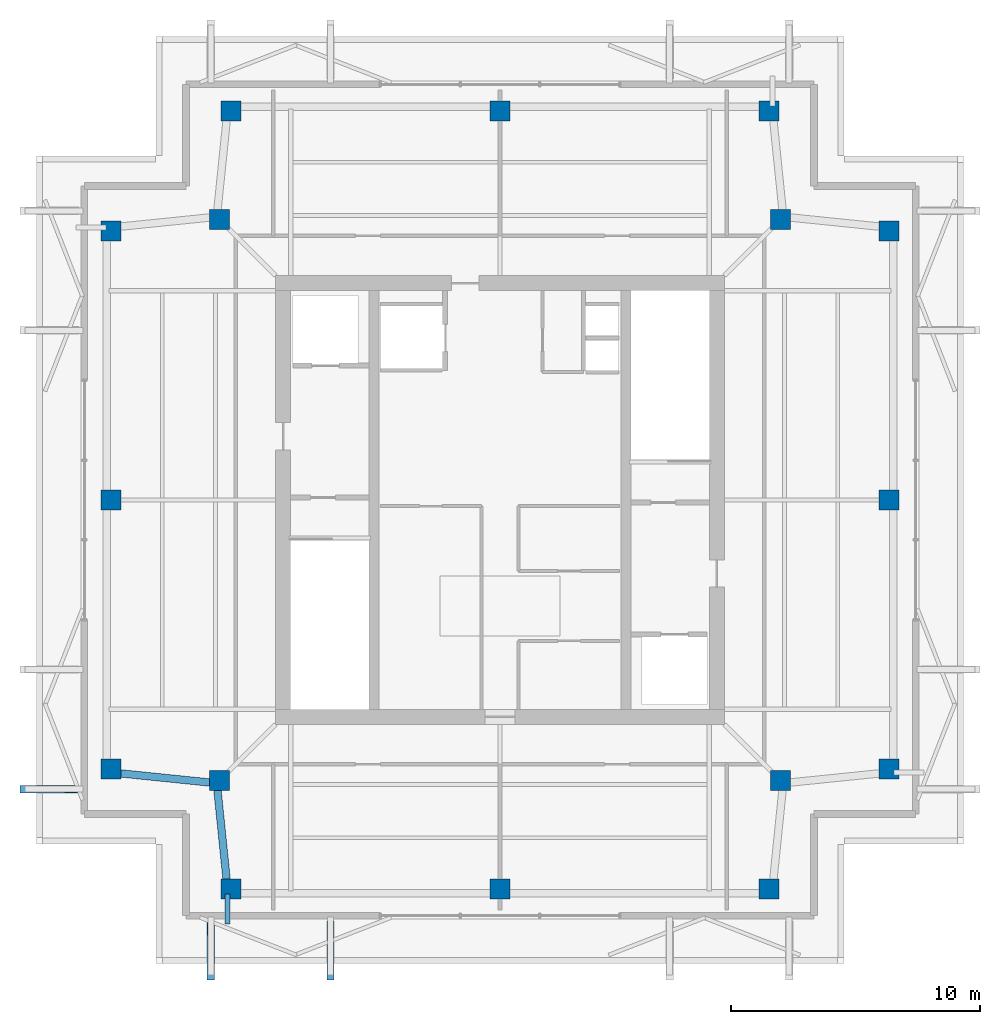
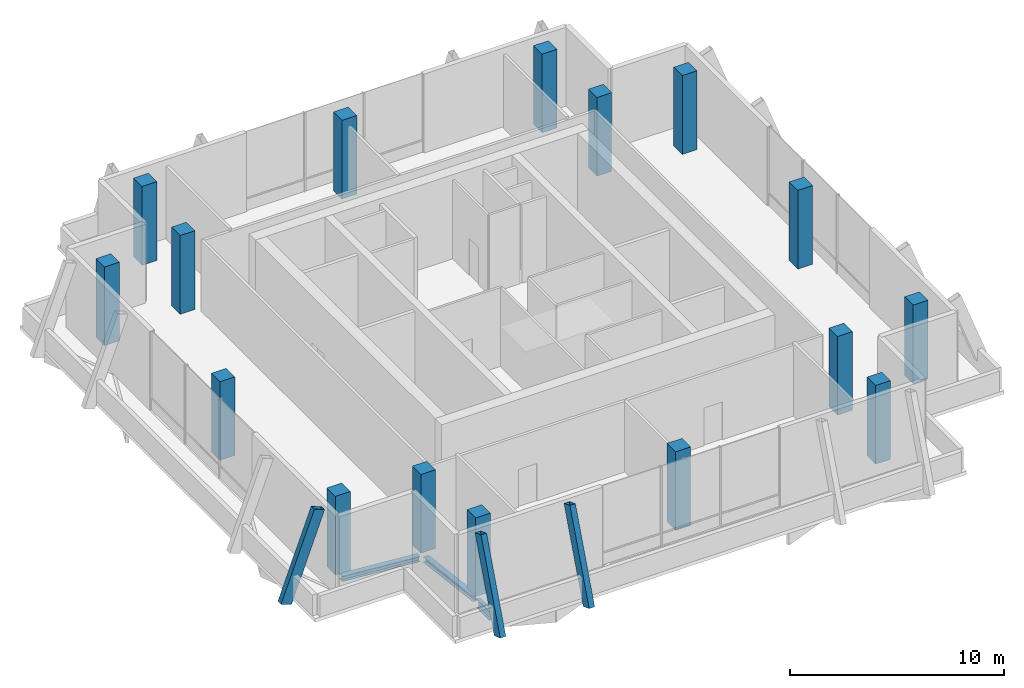
# One storey, part 1 of 15: 16 columns, 3 beams, 3 members.
"""IFC4 building model written with IfcOpenShell, lengths in metres."""

from ifc_helpers import new_model, si_unit, direction, frame, origin, origin_2d, place, context, subcontext, project, spatial, rectangle, hollow_rectangle, i_section, extrude, material, material_profile, profile_set, type_object, element, save


model = new_model("IFC4")

# Units and contexts
model_context = context("Model", 3, precision=1e-05, world=origin(), true_north=direction((0.0, 1.0)))
body_context = subcontext(model_context, "Body", "Model", "MODEL_VIEW")
ifc_project = project(units=[si_unit("LENGTHUNIT", "METRE"), si_unit("AREAUNIT", "SQUARE_METRE"), si_unit("VOLUMEUNIT", "CUBIC_METRE"), si_unit("PLANEANGLEUNIT", "RADIAN"), si_unit("MASSUNIT", "GRAM", prefix="KILO")], contexts=[model_context])

# Site, building, storey
site_placement = place(None, origin())
site = spatial("IfcSite", under=ifc_project, at=site_placement, CompositionType="ELEMENT")
building_placement = place(site_placement, origin())
building = spatial("IfcBuilding", under=site, at=building_placement, Name="Belovzor Exchange Tower", CompositionType="ELEMENT")
storey_placement = place(building_placement, frame((0.0, 0.0, 373.800048828125)))
storey = spatial("IfcBuildingStorey", under=building, at=storey_placement, Name="L93", CompositionType="ELEMENT", Elevation=373.800048828125)

# Columns
ifc_material_1 = material(Name="Concrete C50/60", Category="concrete")
ifc_material_profile_1 = material_profile(ifc_material_1, rectangle(XDim=0.800048828125, YDim=0.800048828125, at=origin_2d()))
ifc_profile_set_1 = profile_set([ifc_material_profile_1], Name="Concrete C50/60")
column_type = type_object("IfcColumnType", Name="Reinforced Concrete Tower Column 800x800", PredefinedType="COLUMN", material=ifc_profile_set_1)
for number, where, z_axis, x_axis, name in (
    (1, (18.0, 13.199951171875, 0.0029296875), (0.0, 0.0, 1.0), (1.0, 0.0, 0.0), "COL-T080 Reinforced Concrete Tower Column 800x800"),
    (2, (28.800048828125, 13.199951171875, 0.0029296875), (0.0, 0.0, 1.0), (1.0, 0.0, 0.0), "COL-T080 Reinforced Concrete Tower Column 800x800"),
    (3, (39.60009765625, 13.199951171875, 0.0029296875), (0.0, 0.0, 1.0), (1.0, 0.0, 0.0), "COL-T080 Reinforced Concrete Tower Column 800x800"),
    (4, (44.39990234375, 18.0, 0.0029296875), (0.0, 0.0, 1.0), (1.0, 0.0, 0.0), "COL-T080 Reinforced Concrete Tower Column 800x800"),
    (5, (44.39990234375, 28.800048828125, 0.0029296875), (0.0, 0.0, 1.0), (1.0, 0.0, 0.0), "COL-T080 Reinforced Concrete Tower Column 800x800"),
    (6, (44.39990234375, 39.60009765625, 0.0029296875), (0.0, 0.0, 1.0), (1.0, 0.0, 0.0), "COL-T080 Reinforced Concrete Tower Column 800x800"),
    (7, (39.60009765625, 44.39990234375, 0.0029296875), (0.0, 0.0, 1.0), (1.0, 0.0, 0.0), "COL-T080 Reinforced Concrete Tower Column 800x800"),
    (8, (28.800048828125, 44.39990234375, 0.0029296875), (0.0, 0.0, 1.0), (1.0, 0.0, 0.0), "COL-T080 Reinforced Concrete Tower Column 800x800"),
    (9, (18.0, 44.39990234375, 0.0029296875), (0.0, 0.0, 1.0), (1.0, 0.0, 0.0), "COL-T080 Reinforced Concrete Tower Column 800x800"),
    (10, (13.199951171875, 39.60009765625, 0.0029296875), (0.0, 0.0, 1.0), (1.0, 0.0, 0.0), "COL-T080 Reinforced Concrete Tower Column 800x800"),
    (11, (13.199951171875, 28.800048828125, 0.0029296875), (0.0, 0.0, 1.0), (1.0, 0.0, 0.0), "COL-T080 Reinforced Concrete Tower Column 800x800"),
    (12, (13.199951171875, 18.0, 0.0029296875), (0.0, 0.0, 1.0), (1.0, 0.0, 0.0), "COL-T080 Reinforced Concrete Tower Column 800x800"),
    (13, (17.550048828125, 17.550048828125, 0.0029296875), (0.0, 0.0, 1.0), (1.0, 0.0, 0.0), "COL-T080 Reinforced Concrete Tower Column 800x800"),
    (14, (40.050048828125, 17.550048828125, 0.0029296875), (0.0, 0.0, 1.0), (1.0, 0.0, 0.0), "COL-T080 Reinforced Concrete Tower Column 800x800"),
    (15, (40.050048828125, 40.050048828125, 0.0029296875), (0.0, 0.0, 1.0), (1.0, 0.0, 0.0), "COL-T080 Reinforced Concrete Tower Column 800x800"),
    (16, (17.550048828125, 40.050048828125, 0.0029296875), (0.0, 0.0, 1.0), (1.0, 0.0, 0.0), "COL-T080 Reinforced Concrete Tower Column 800x800"),
):
    element("IfcColumn", number, at=place(storey_placement, frame(where, z_axis=z_axis, x_axis=x_axis)), inside=storey, type_object=column_type, Name=name, PredefinedType="COLUMN", context=body_context, shape_type="SweptSolid", body=[
        extrude(rectangle(XDim=0.800048828125, YDim=0.800048828125, at=origin_2d()), origin(), (0.0, 0.0, 1.0), 4.494140625),
    ])

# Beams
ifc_material_2 = material(Name="Steel S355", Category="steel")
ifc_material_profile_2 = material_profile(ifc_material_2, i_section(OverallWidth=0.300048828125, OverallDepth=0.300048828125, WebThickness=0.010986328125, FlangeThickness=0.01904296875, at=origin_2d()))
ifc_profile_set_2 = profile_set([ifc_material_profile_2], Name="Steel S355")
beam_type_1 = type_object("IfcBeamType", Name="Crown Plant Primary Beam HEB 300", PredefinedType="BEAM", material=ifc_profile_set_2)
for number, where, z_axis, x_axis, name in (
    (17, (17.4599609375, 17.218994140625, -0.449951171875), (0.101763348742, -0.994808635293, 0.0), (0.994808635293, 0.101763348742, 0.0), "FG-CR Crown Plant Primary Beam HEB 300"),
    (18, (13.25, 17.865966796875, -0.449951171875), (0.994808635293, -0.101763348742, 0.0), (0.101763348742, 0.994808635293, 0.0), "FG-CR Crown Plant Primary Beam HEB 300"),
):
    element("IfcBeam", number, at=place(storey_placement, frame(where, z_axis=z_axis, x_axis=x_axis)), inside=storey, type_object=beam_type_1, Name=name, PredefinedType="BEAM", context=body_context, shape_type="SweptSolid", body=[
        extrude(i_section(OverallWidth=0.300048828125, OverallDepth=0.300048828125, WebThickness=0.010986328125, FlangeThickness=0.01904296875, at=origin_2d()), origin(), (0.0, 0.0, 1.0), 3.98974609375),
    ])
ifc_material_3 = material(Name="Steel S355", Category="steel")
ifc_material_profile_3 = material_profile(ifc_material_3, i_section(OverallWidth=0.199951171875, OverallDepth=0.5, WebThickness=0.01025390625, FlangeThickness=0.01611328125, at=origin_2d()))
ifc_profile_set_3 = profile_set([ifc_material_profile_3], Name="Steel S355")
beam_type_2 = type_object("IfcBeamType", Name="Planted Balcony Cantilever Beam IPE 500", PredefinedType="BEAM", material=ifc_profile_set_3)
beam_placement = place(storey_placement, frame((17.863037109375, 12.993896484375, -0.550048828125), z_axis=(0.0, -1.0, 0.0), x_axis=(1.0, 0.0, 0.0)))
element("IfcBeam", 19, at=beam_placement, inside=storey, type_object=beam_type_2, Name="BC-500 Planted Balcony Cantilever Beam IPE 500", PredefinedType="BEAM", context=body_context, shape_type="SweptSolid", body=[
    extrude(i_section(OverallWidth=0.199951171875, OverallDepth=0.5, WebThickness=0.01025390625, FlangeThickness=0.01611328125, at=origin_2d()), origin(), (0.0, 0.0, 1.0), 1.19384765625),
])

# Members
ifc_material_4 = material(Name="Extruded Architectural Terracotta on Steel S355 Carrier", Category="masonry")
ifc_material_profile_4 = material_profile(ifc_material_4, hollow_rectangle(XDim=0.300048828125, YDim=0.60009765625, WallThickness=0.01611328125, at=origin_2d()))
ifc_profile_set_4 = profile_set([ifc_material_profile_4], Name="Extruded Architectural Terracotta on Steel S355 Carrier")
member_type = type_object("IfcMemberType", Name="Upper Crown Terracotta Fin Assembly 550", PredefinedType="USERDEFINED", material=ifc_profile_set_4)
for number, where, z_axis, x_axis, name in (
    (20, (17.199951171875, 9.824951171875, -0.300048828125), (0.0, 0.351128660605, 0.936327220421), (-1.0, 0.0, 0.0), "FIN-TC055 Terracotta Facade Fin L93 S1"),
    (21, (9.824951171875, 17.199951171875, -0.300048828125), (0.351128660605, 0.0, 0.936327220421), (0.0, 1.0, 0.0), "FIN-TC055 Terracotta Facade Fin L93 W1"),
    (22, (22.0, 9.824951171875, -0.300048828125), (0.0, 0.351128660605, 0.936327220421), (-1.0, 0.0, 0.0), "FIN-TC055 Terracotta Facade Fin L93 S2"),
):
    element("IfcMember", number, at=place(storey_placement, frame(where, z_axis=z_axis, x_axis=x_axis)), inside=storey, type_object=member_type, Name=name, ObjectType="FIN", PredefinedType="USERDEFINED", context=body_context, shape_type="SweptSolid", body=[
        extrude(hollow_rectangle(XDim=0.300048828125, YDim=0.60009765625, WallThickness=0.01611328125, at=origin_2d()), origin(), (0.0, 0.0, 1.0), 5.12646484375),
    ])

save(model, "model.ifc")
